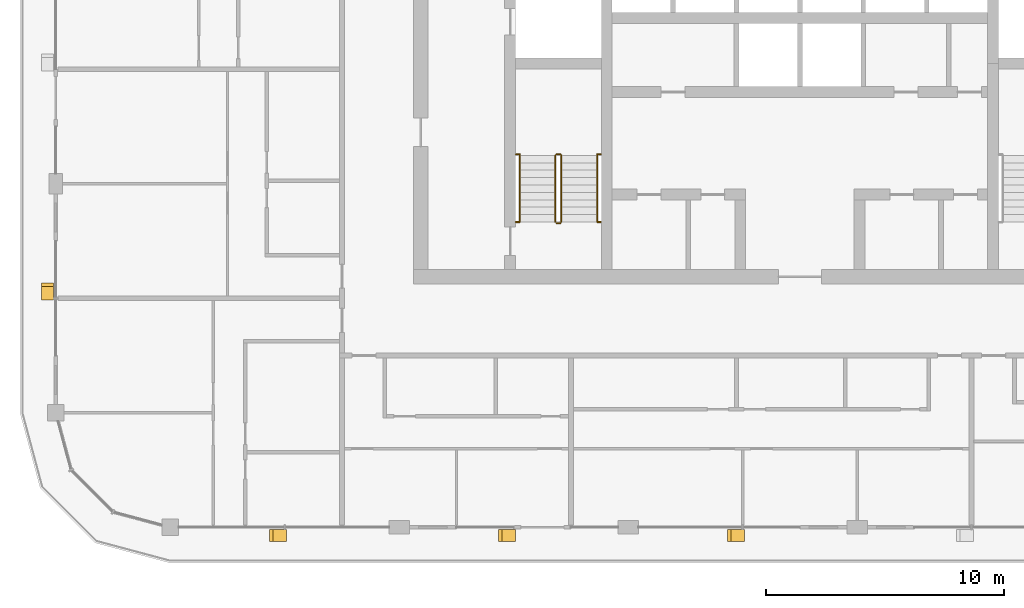
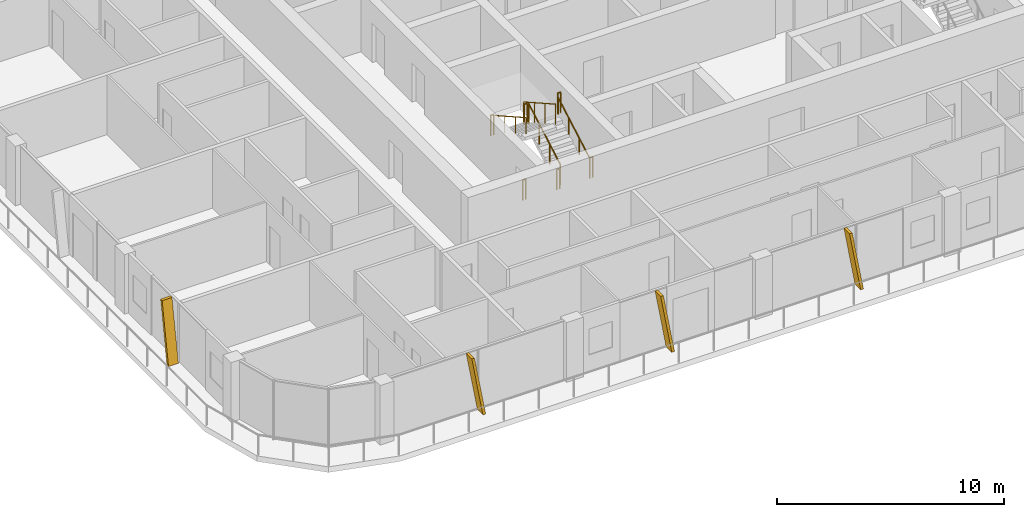
# One storey, part 17 of 22: 10 railings, 4 shading devices.
"""IFC4 building model written with IfcOpenShell, lengths in metres."""

from ifc_helpers import new_model, si_unit, direction, frame, origin, origin_2d, place, context, subcontext, project, spatial, polyline, circle, outline, extrude, material, type_object, element, save


model = new_model("IFC4")

# Units and contexts
model_context = context("Model", 3, precision=1e-05, world=origin(), true_north=direction((0.0, 1.0)))
body_context = subcontext(model_context, "Body", "Model", "MODEL_VIEW")
ifc_project = project(units=[si_unit("LENGTHUNIT", "METRE"), si_unit("AREAUNIT", "SQUARE_METRE"), si_unit("VOLUMEUNIT", "CUBIC_METRE"), si_unit("PLANEANGLEUNIT", "RADIAN"), si_unit("MASSUNIT", "GRAM", prefix="KILO")], contexts=[model_context])

# Site, building, storey
site_placement = place(None, origin())
site = spatial("IfcSite", under=ifc_project, at=site_placement, CompositionType="ELEMENT")
building_placement = place(site_placement, origin())
building = spatial("IfcBuilding", under=site, at=building_placement, Name="Madar Terraces", CompositionType="ELEMENT")
storey_placement = place(building_placement, frame((0.0, 0.0, 249.199951171875)))
storey = spatial("IfcBuildingStorey", under=building, at=storey_placement, Name="L65", CompositionType="ELEMENT", Elevation=249.199951171875)

# Shading devices
ifc_material_1 = material(Name="Aluminium, black anodised", Category="aluminium")
shading_device_type = type_object("IfcShadingDeviceType", Name="Facade fin blade 140 x 500", PredefinedType="USERDEFINED", material=ifc_material_1)
shading_device_1_placement = place(storey_placement, frame((9.530029296875, 4.449951171875, 0.0), z_axis=(0.0, 0.0, 1.0), x_axis=(1.0, 0.0, 0.0)))
element("IfcShadingDevice", 1, at=shading_device_1_placement, inside=storey, type_object=shading_device_type, Name="FIN L65 S1", ObjectType="FIN", PredefinedType="USERDEFINED", context=body_context, shape_type="SweptSolid", body=[
    extrude(outline(polyline([(0.0, 0.0), (0.139892578125, 0.0), (-0.42431640625, 3.199951171875), (-0.564208984375, 3.199951171875), (0.0, 0.0)])), frame((0.0, 0.25, 0.0), z_axis=(0.0, -1.0, 0.0), x_axis=(1.0, 0.0, 0.0)), (0.0, 0.0, 1.0), 0.5),
])
for number, where, z_axis, x_axis, name in (
    (2, (19.1298828125, 4.449951171875, 0.0), (0.0, 0.0, 1.0), (1.0, 0.0, 0.0), "FIN L65 S2"),
    (3, (28.72998046875, 4.449951171875, 0.0), (0.0, 0.0, 1.0), (1.0, 0.0, 0.0), "FIN L65 S3"),
):
    element("IfcShadingDevice", number, at=place(storey_placement, frame(where, z_axis=z_axis, x_axis=x_axis)), inside=storey, type_object=shading_device_type, Name=name, ObjectType="FIN", PredefinedType="USERDEFINED", context=body_context, shape_type="SweptSolid", body=[
        extrude(outline(polyline([(0.0, 0.0), (0.14013671875, 0.0), (-0.42431640625, 3.199951171875), (-0.564208984375, 3.199951171875), (0.0, 0.0)])), frame((0.0, 0.25, 0.0), z_axis=(0.0, -1.0, 0.0), x_axis=(1.0, 0.0, 0.0)), (0.0, 0.0, 1.0), 0.5),
    ])
shading_device_2_placement = place(storey_placement, frame((-0.35009765625, 14.469970703125, 0.0), z_axis=(0.0, 0.0, 1.0), x_axis=(0.0, -1.0, 0.0)))
element("IfcShadingDevice", 4, at=shading_device_2_placement, inside=storey, type_object=shading_device_type, Name="FIN L65 W4", ObjectType="FIN", PredefinedType="USERDEFINED", context=body_context, shape_type="SweptSolid", body=[
    extrude(outline(polyline([(0.0, 0.0), (0.139892578125, 0.0), (-0.42431640625, 3.199951171875), (-0.564208984375, 3.199951171875), (0.0, 0.0)])), frame((0.0, 0.25, 0.0), z_axis=(0.0, -1.0, 0.0), x_axis=(1.0, 0.0, 0.0)), (0.0, 0.0, 1.0), 0.5),
])

# Railings
ifc_material_2 = material(Name="Stainless steel railing", Category="steel")
railing_type_1 = type_object("IfcRailingType", Name="Stair guard 1100", PredefinedType="GUARDRAIL", material=ifc_material_2)
railing_1_placement = place(storey_placement, frame((21.199951171875, 17.60009765625, 0.175048828125)))
element("IfcRailing", 5, at=railing_1_placement, inside=storey, type_object=railing_type_1, Name="L65 ST1 stair guard 1", PredefinedType="GUARDRAIL", context=body_context, shape_type="SweptSolid", body=[
    extrude(circle(Radius=0.02392578125, at=origin_2d()), frame((0.0, 0.0, 1.076171875), z_axis=(0.0, 0.870815363784, 0.491610213684), x_axis=(-1.0, 0.0, 0.0)), (0.0, 0.0, 1.0), 3.20361328125),
    extrude(circle(Radius=0.02099609375, at=origin_2d()), origin(), (0.0, 0.0, 1.0), 1.052001953125),
    extrude(circle(Radius=0.02099609375, at=origin_2d()), frame((0.0, 0.929931640625, 0.52490234375)), (0.0, 0.0, 1.0), 1.052001953125),
    extrude(circle(Radius=0.02099609375, at=origin_2d()), frame((0.0, 1.85986328125, 1.050048828125)), (0.0, 0.0, 1.0), 1.052001953125),
    extrude(circle(Radius=0.02099609375, at=origin_2d()), frame((0.0, 2.789794921875, 1.574951171875)), (0.0, 0.0, 1.0), 1.052001953125),
])
railing_2_placement = place(storey_placement, frame((21.14990234375, 20.43994140625, 1.75)))
element("IfcRailing", 6, at=railing_2_placement, inside=storey, type_object=railing_type_1, Name="L65 ST1 stair guard 2", PredefinedType="GUARDRAIL", context=body_context, shape_type="SweptSolid", body=[
    extrude(circle(Radius=0.02392578125, at=origin_2d()), frame((0.0, 0.0, 1.076171875), z_axis=(-1.0, 0.0, 0.0), x_axis=(0.0, -1.0, 0.0)), (0.0, 0.0, 1.0), 0.14990234375),
    extrude(circle(Radius=0.02099609375, at=origin_2d()), origin(), (0.0, 0.0, 1.0), 1.052001953125),
    extrude(circle(Radius=0.02099609375, at=origin_2d()), frame((-0.14990234375, 0.0, 0.0)), (0.0, 0.0, 1.0), 1.052001953125),
])
railing_3_placement = place(storey_placement, frame((20.949951171875, 20.389892578125, 1.925048828125)))
element("IfcRailing", 7, at=railing_3_placement, inside=storey, type_object=railing_type_1, Name="L65 ST1 stair guard 3", PredefinedType="GUARDRAIL", context=body_context, shape_type="SweptSolid", body=[
    extrude(circle(Radius=0.02392578125, at=origin_2d()), frame((0.0, 0.0, 1.076171875), z_axis=(0.0, -0.870815363784, 0.491610213684), x_axis=(1.0, 0.0, 0.0)), (0.0, 0.0, 1.0), 3.20361328125),
    extrude(circle(Radius=0.02099609375, at=origin_2d()), origin(), (0.0, 0.0, 1.0), 1.052001953125),
    extrude(circle(Radius=0.02099609375, at=origin_2d()), frame((0.0, -0.929931640625, 0.52490234375)), (0.0, 0.0, 1.0), 1.052001953125),
    extrude(circle(Radius=0.02099609375, at=origin_2d()), frame((0.0, -1.85986328125, 1.050048828125)), (0.0, 0.0, 1.0), 1.052001953125),
    extrude(circle(Radius=0.02099609375, at=origin_2d()), frame((0.0, -2.789794921875, 1.574951171875)), (0.0, 0.0, 1.0), 1.052001953125),
])
railing_4_placement = place(storey_placement, frame((21.14990234375, 17.550048828125, 0.0)))
element("IfcRailing", 8, at=railing_4_placement, inside=storey, type_object=railing_type_1, Name="L65 ST1 stair guard 4", PredefinedType="GUARDRAIL", context=body_context, shape_type="SweptSolid", body=[
    extrude(circle(Radius=0.02392578125, at=origin_2d()), frame((0.0, 0.0, 1.076171875), z_axis=(-1.0, 0.0, 0.0), x_axis=(0.0, -1.0, 0.0)), (0.0, 0.0, 1.0), 0.14990234375),
    extrude(circle(Radius=0.02099609375, at=origin_2d()), origin(), (0.0, 0.0, 1.0), 1.052001953125),
    extrude(circle(Radius=0.02099609375, at=origin_2d()), frame((-0.14990234375, 0.0, 0.0)), (0.0, 0.0, 1.0), 1.052001953125),
])
for number, where, name in (
    (9, (19.294921875, 20.43994140625, 1.75), "L65 stair guard seat 1"),
    (10, (22.699951171875, 20.43994140625, 1.75), "L65 stair guard seat 2"),
    (11, (19.294921875, 17.60009765625, 0.0), "L65 stair guard floor 1"),
    (12, (22.699951171875, 17.60009765625, 0.0), "L65 stair guard floor 2"),
):
    element("IfcRailing", number, at=place(storey_placement, frame(where)), inside=storey, type_object=railing_type_1, Name=name, PredefinedType="GUARDRAIL", context=body_context, shape_type="SweptSolid", body=[
        extrude(circle(Radius=0.02392578125, at=origin_2d()), frame((0.0, 0.0, 1.076171875), z_axis=(1.0, 0.0, 0.0), x_axis=(0.0, 1.0, 0.0)), (0.0, 0.0, 1.0), 0.155029296875),
        extrude(circle(Radius=0.02099609375, at=origin_2d()), origin(), (0.0, 0.0, 1.0), 1.052001953125),
        extrude(circle(Radius=0.02099609375, at=origin_2d()), frame((0.155029296875, 0.0, 0.0)), (0.0, 0.0, 1.0), 1.052001953125),
    ])
ifc_material_3 = material(Name="Stainless steel railing", Category="steel")
railing_type_2 = type_object("IfcRailingType", Name="Stair handrail 900", PredefinedType="HANDRAIL", material=ifc_material_3)
railing_5_placement = place(storey_placement, frame((22.699951171875, 17.60009765625, 0.175048828125)))
element("IfcRailing", 13, at=railing_5_placement, inside=storey, type_object=railing_type_2, Name="L65 ST1 stair handrail 1", PredefinedType="HANDRAIL", context=body_context, shape_type="SweptSolid", body=[
    extrude(circle(Radius=0.02392578125, at=origin_2d()), frame((0.0, 0.0, 0.8759765625), z_axis=(0.0, 0.870815363784, 0.491610213684), x_axis=(-1.0, 0.0, 0.0)), (0.0, 0.0, 1.0), 3.20361328125),
    extrude(circle(Radius=0.02099609375, at=origin_2d()), origin(), (0.0, 0.0, 1.0), 0.851806640625),
    extrude(circle(Radius=0.02099609375, at=origin_2d()), frame((0.0, 0.929931640625, 0.52490234375)), (0.0, 0.0, 1.0), 0.851806640625),
    extrude(circle(Radius=0.02099609375, at=origin_2d()), frame((0.0, 1.85986328125, 1.050048828125)), (0.0, 0.0, 1.0), 0.851806640625),
    extrude(circle(Radius=0.02099609375, at=origin_2d()), frame((0.0, 2.789794921875, 1.574951171875)), (0.0, 0.0, 1.0), 0.851806640625),
])
railing_6_placement = place(storey_placement, frame((19.449951171875, 20.389892578125, 1.925048828125)))
element("IfcRailing", 14, at=railing_6_placement, inside=storey, type_object=railing_type_2, Name="L65 ST1 stair handrail 2", PredefinedType="HANDRAIL", context=body_context, shape_type="SweptSolid", body=[
    extrude(circle(Radius=0.02392578125, at=origin_2d()), frame((0.0, 0.0, 0.8759765625), z_axis=(0.0, -0.870815363784, 0.491610213684), x_axis=(1.0, 0.0, 0.0)), (0.0, 0.0, 1.0), 3.20361328125),
    extrude(circle(Radius=0.02099609375, at=origin_2d()), origin(), (0.0, 0.0, 1.0), 0.851806640625),
    extrude(circle(Radius=0.02099609375, at=origin_2d()), frame((0.0, -0.929931640625, 0.52490234375)), (0.0, 0.0, 1.0), 0.851806640625),
    extrude(circle(Radius=0.02099609375, at=origin_2d()), frame((0.0, -1.85986328125, 1.050048828125)), (0.0, 0.0, 1.0), 0.851806640625),
    extrude(circle(Radius=0.02099609375, at=origin_2d()), frame((0.0, -2.789794921875, 1.574951171875)), (0.0, 0.0, 1.0), 0.851806640625),
])

save(model, "model.ifc")
